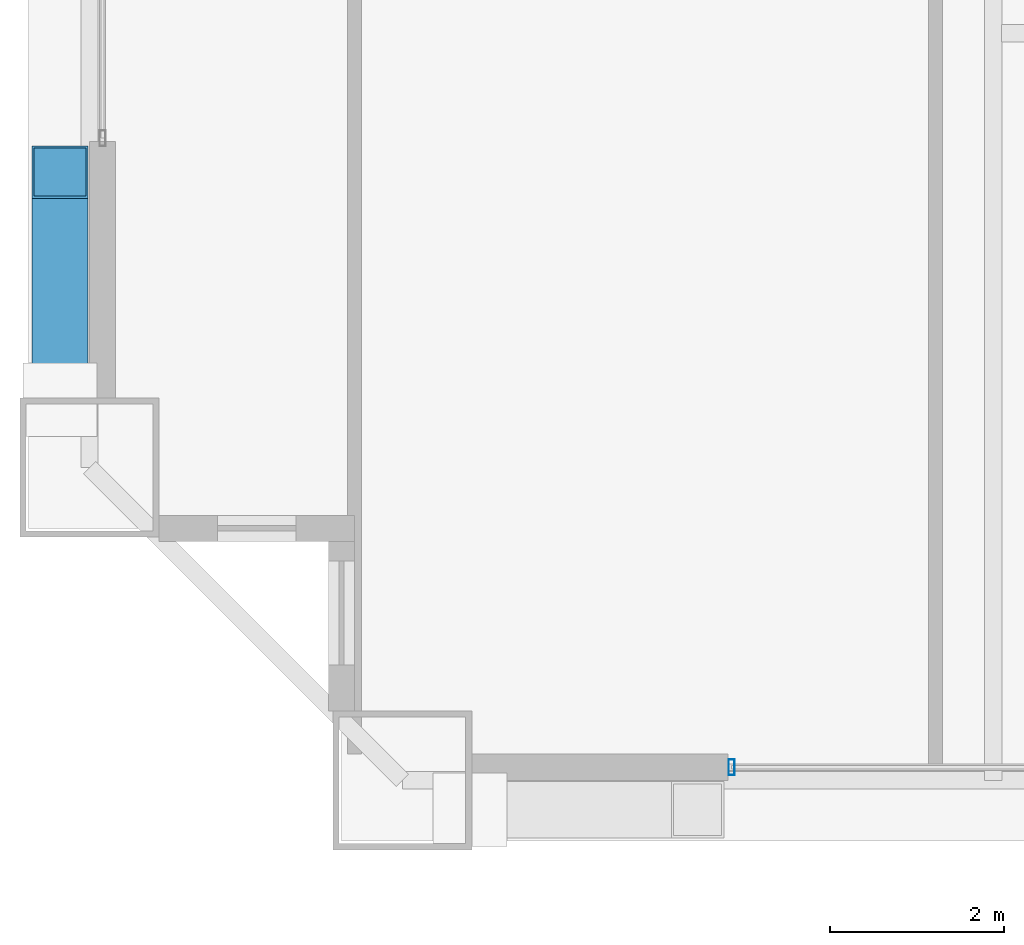
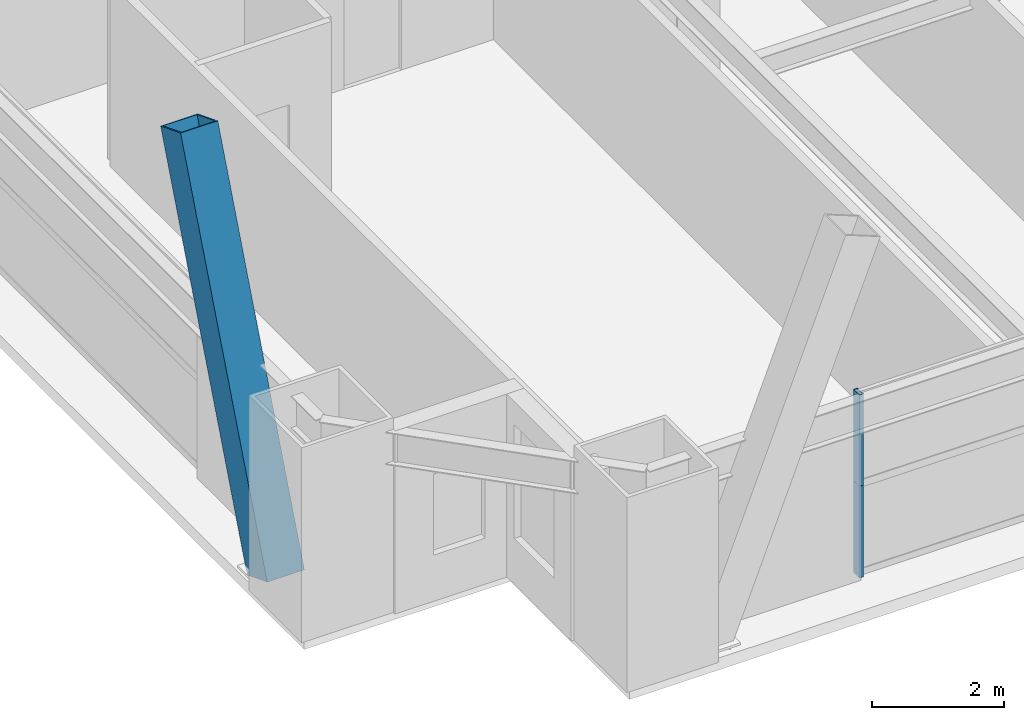
# One storey, part 3 of 43: 3 members, 1 element without a shape of its own.
"""IFC4 building model written with IfcOpenShell, lengths in metres."""

import ifcopenshell
import ifcopenshell.guid

model = None  # the IFC model being written
_history = None  # IfcOwnerHistory: only IFC2X3 demands one
_inside = {}  # id of a spatial element -> (the spatial element, [elements in it])
_under = {}  # id of a project, library or spatial element -> (it, [spatial elements below it])
_declared = {}  # id of a project -> (the project, [libraries it declares])
_typed = {}  # id of a type object -> (the type object, [elements of that type])
_made_of = {}  # id of a material, layer set ... -> (it, [elements and type objects made of it])


def new_model(schema):
    """Start an empty IFC model of exactly this schema.

    Asked for "IFC4X3", IfcOpenShell would pick the latest addendum, in which some entities
    have other attributes; the version numbers below select the first issue.
    IFC2X3 requires an IfcOwnerHistory on every rooted entity: one is made here for all.
    """
    global model, _history
    if schema == "IFC4X3":
        model = ifcopenshell.file(schema_version=(4, 3, 0, 0))
    else:
        model = ifcopenshell.file(schema=schema)
    _inside.clear()
    _under.clear()
    _declared.clear()
    _typed.clear()
    _made_of.clear()
    _history = None
    if model.schema == "IFC2X3":
        org = make("IfcOrganization", Name="unknown")
        user = make(
            "IfcPersonAndOrganization",
            ThePerson=make("IfcPerson", FamilyName="unknown"),
            TheOrganization=org,
        )
        app = make(
            "IfcApplication",
            ApplicationDeveloper=org,
            Version="unknown",
            ApplicationFullName="unknown",
            ApplicationIdentifier="unknown",
        )
        _history = make(
            "IfcOwnerHistory",
            OwningUser=user,
            OwningApplication=app,
            ChangeAction="ADDED",
            CreationDate=0,
        )
    return model


def make(cls, **values):
    """One entity of the class cls with the attributes given. An attribute that is None is left unset."""
    return model.create_entity(
        cls, **{name: value for name, value in values.items() if value is not None}
    )


def rooted(cls, **values):
    """An entity with a GlobalId (a new one), such as an element, a storey or a relation."""
    return make(cls, GlobalId=ifcopenshell.guid.new(), OwnerHistory=_history, **values)


def si_unit(unit_type, name, prefix=None):
    """IfcSIUnit, for example si_unit("LENGTHUNIT", "METRE", prefix="MILLI")."""
    return make("IfcSIUnit", UnitType=unit_type, Prefix=prefix, Name=name)


def assignment(units):
    """IfcUnitAssignment: the units of a project."""
    return None if units is None else make("IfcUnitAssignment", Units=units)


def point(xyz):
    """IfcCartesianPoint."""
    return None if xyz is None else make("IfcCartesianPoint", Coordinates=xyz)


def direction(xyz):
    """IfcDirection."""
    return None if xyz is None else make("IfcDirection", DirectionRatios=xyz)


def frame(location, z_axis=None, x_axis=None):
    """IfcAxis2Placement3D, a coordinate frame: its origin and axes. An axis left out is left unset."""
    return make(
        "IfcAxis2Placement3D",
        Location=point(location),
        Axis=direction(z_axis),
        RefDirection=direction(x_axis),
    )


def frame_2d(location, x_axis=None):
    """IfcAxis2Placement2D, a coordinate frame in the plane: its origin and x axis."""
    return make(
        "IfcAxis2Placement2D", Location=point(location), RefDirection=direction(x_axis)
    )


def origin():
    """The frame at (0, 0, 0) with its axes left unset."""
    return frame((0.0, 0.0, 0.0))


def origin_2d():
    """The frame at (0, 0) in the plane with its x axis left unset."""
    return frame_2d((0.0, 0.0))


def place(relative_to, where):
    """IfcLocalPlacement: puts the frame where relative to a parent placement (None: the world)."""
    return make(
        "IfcLocalPlacement", PlacementRelTo=relative_to, RelativePlacement=where
    )


def context(
    kind, dimensions, precision=None, world=None, true_north=None, identifier=None
):
    """IfcGeometricRepresentationContext, for example the 3D "Model" context."""
    return make(
        "IfcGeometricRepresentationContext",
        ContextIdentifier=identifier,
        ContextType=kind,
        CoordinateSpaceDimension=dimensions,
        Precision=precision,
        WorldCoordinateSystem=world,
        TrueNorth=true_north,
    )


def subcontext(parent, identifier, kind, view, scale=None):
    """IfcGeometricRepresentationSubContext, for example "Body" below "Model"."""
    return make(
        "IfcGeometricRepresentationSubContext",
        ContextIdentifier=identifier,
        ContextType=kind,
        ParentContext=parent,
        TargetScale=scale,
        TargetView=view,
    )


def project(units=None, contexts=None):
    """IfcProject with its units and contexts."""
    return rooted(
        "IfcProject",
        Name="project",
        RepresentationContexts=contexts,
        UnitsInContext=assignment(units),
    )


def spatial(cls, under=None, at=None, **own):
    """A site, building, storey or space (cls), placed at a placement, below another one or the project."""
    s = rooted(cls, ObjectPlacement=at, **own)
    if under is not None:
        _under.setdefault(under.id(), (under, []))[1].append(s)
    return s


def profile(cls, at=None, kind="AREA", **sizes):
    """A parametric profile (cls). Its sizes go by their IFC names, for example OverallWidth=200.0."""
    return make(cls, ProfileType=kind, Position=at, **sizes)


def hollow_rectangle(**sizes):
    """IfcRectangleHollowProfileDef."""
    return profile("IfcRectangleHollowProfileDef", **sizes)


def extrude(swept, where, along, depth):
    """IfcExtrudedAreaSolid: the profile swept, set in the frame where, extruded along a direction by depth."""
    return make(
        "IfcExtrudedAreaSolid",
        SweptArea=swept,
        Position=where,
        ExtrudedDirection=direction(along),
        Depth=depth,
    )


def shape(context_of_items, identifier, shape_type, items):
    """IfcShapeRepresentation: the items that make up one representation, for example the "Body"."""
    return make(
        "IfcShapeRepresentation",
        ContextOfItems=context_of_items,
        RepresentationIdentifier=identifier,
        RepresentationType=shape_type,
        Items=items,
    )


def source(mapping_origin, context_of_items, identifier, shape_type, items):
    """IfcRepresentationMap: a shape defined once, which mapped items show again and again."""
    return make(
        "IfcRepresentationMap",
        MappingOrigin=mapping_origin,
        MappedRepresentation=shape(context_of_items, identifier, shape_type, items),
    )


def transform(
    local_origin,
    x_axis=None,
    y_axis=None,
    z_axis=None,
    scale=None,
    scale2=None,
    scale3=None,
    uniform=True,
):
    """IfcCartesianTransformationOperator3D, or its non-uniform kind. x_axis, y_axis, z_axis: its Axis1, 2, 3."""
    if uniform:
        return make(
            "IfcCartesianTransformationOperator3D",
            Axis1=direction(x_axis),
            Axis2=direction(y_axis),
            LocalOrigin=point(local_origin),
            Scale=scale,
            Axis3=direction(z_axis),
        )
    return make(
        "IfcCartesianTransformationOperator3DnonUniform",
        Axis1=direction(x_axis),
        Axis2=direction(y_axis),
        LocalOrigin=point(local_origin),
        Scale=scale,
        Axis3=direction(z_axis),
        Scale2=scale2,
        Scale3=scale3,
    )


def mapped(mapping_source, mapping_target):
    """IfcMappedItem: shows the shape of a source again, moved by a transform."""
    return make(
        "IfcMappedItem", MappingSource=mapping_source, MappingTarget=mapping_target
    )


def material(Name=None, Category=None):
    """IfcMaterial."""
    return make("IfcMaterial", Name=Name, Category=Category)


def layer(
    of_material, thickness, ventilated=None, Name=None, Category=None, Priority=None
):
    """IfcMaterialLayer: one layer of a wall or slab, of a material (None: an air gap)."""
    return make(
        "IfcMaterialLayer",
        Material=of_material,
        LayerThickness=thickness,
        IsVentilated=ventilated,
        Name=Name,
        Category=Category,
        Priority=Priority,
    )


def layer_set(layers, Name=None):
    """IfcMaterialLayerSet."""
    return make("IfcMaterialLayerSet", MaterialLayers=layers, LayerSetName=Name)


def material_profile(
    of_material, cross_section, Name=None, Category=None, Priority=None
):
    """IfcMaterialProfile: a cross section and its material."""
    return make(
        "IfcMaterialProfile",
        Name=Name,
        Material=of_material,
        Profile=cross_section,
        Priority=Priority,
        Category=Category,
    )


def profile_set(profiles, Name=None, composite=None):
    """IfcMaterialProfileSet."""
    return make(
        "IfcMaterialProfileSet",
        Name=Name,
        MaterialProfiles=profiles,
        CompositeProfile=composite,
    )


def made_of(thing, what):
    """Note that an element or type object is made of a material, layer set ...; save() writes the relation."""
    if what is not None:
        _made_of.setdefault(what.id(), (what, []))[1].append(thing)
    return thing


def type_object(cls, material=None, **own):
    """A type object (cls), such as IfcWallType, which elements share."""
    return made_of(rooted(cls, **own), material)


def element(
    cls,
    number,
    at=None,
    inside=None,
    cuts=None,
    type_object=None,
    material=None,
    context=None,
    identifier="Body",
    shape_type=None,
    held_by="IfcProductDefinitionShape",
    body=None,
    shapes=None,
    **own,
):
    """One element of the class cls, such as IfcWall. Its Tag is "e" and its number.

    at: its placement. inside: the storey or other place that contains it. cuts: it is an
    opening in that element (IfcRelVoidsElement). A single representation is given by context,
    identifier, shape_type and body (its items); several are given by shapes. held_by: the class
    of the entity that holds the representations. save() writes the other relations.
    """
    e = rooted(cls, Tag="e%d" % number, ObjectPlacement=at, **own)
    if body is not None:
        shapes = [shape(context, identifier, shape_type, body)]
    if shapes is not None:
        e.Representation = make(held_by, Representations=shapes)
    if inside is not None:
        _inside.setdefault(inside.id(), (inside, []))[1].append(e)
    if cuts is not None:
        rooted(
            "IfcRelVoidsElement", RelatingBuildingElement=cuts, RelatedOpeningElement=e
        )
    if type_object is not None:
        _typed.setdefault(type_object.id(), (type_object, []))[1].append(e)
    return made_of(e, material)


def aggregate(whole, parts):
    """IfcRelAggregates: a whole, such as a stair, and the parts it consists of."""
    return rooted("IfcRelAggregates", RelatingObject=whole, RelatedObjects=parts)


def save(model, path):
    """Write the relations noted so far, then the file.

    IfcRelAggregates (storeys below a building ...), IfcRelContainedInSpatialStructure (elements
    in a storey), IfcRelDefinesByType, IfcRelAssociatesMaterial and IfcRelDeclares: one each for
    every whole, place, type object, material and project.
    """
    for whole, parts in _under.values():
        aggregate(whole, parts)
    for where, things in _inside.values():
        rooted(
            "IfcRelContainedInSpatialStructure",
            RelatedElements=things,
            RelatingStructure=where,
        )
    for kind, things in _typed.values():
        rooted("IfcRelDefinesByType", RelatedObjects=things, RelatingType=kind)
    for what, things in _made_of.values():
        rooted("IfcRelAssociatesMaterial", RelatedObjects=things, RelatingMaterial=what)
    for by, libraries in _declared.values():
        rooted("IfcRelDeclares", RelatingContext=by, RelatedDefinitions=libraries)
    model.write(path)


model = new_model("IFC4")

# Units and contexts
model_context = context("Model", 3, precision=1e-05, world=origin(), true_north=direction((0.0, 1.0)))
body_context = subcontext(model_context, "Body", "Model", "MODEL_VIEW")
ifc_project = project(units=[si_unit("LENGTHUNIT", "METRE"), si_unit("AREAUNIT", "SQUARE_METRE"), si_unit("VOLUMEUNIT", "CUBIC_METRE"), si_unit("PLANEANGLEUNIT", "RADIAN"), si_unit("MASSUNIT", "GRAM", prefix="KILO"), si_unit("THERMODYNAMICTEMPERATUREUNIT", "KELVIN"), si_unit("POWERUNIT", "WATT")], contexts=[model_context])

# Site, building, storey
site_placement = place(None, origin())
site = spatial("IfcSite", under=ifc_project, at=site_placement, CompositionType="ELEMENT")
building_placement = place(site_placement, origin())
building = spatial("IfcBuilding", under=site, at=building_placement, Name="Yuzanri Waterfront Tower", CompositionType="ELEMENT")
storey_placement = place(building_placement, frame((0.0, 0.0, 93.800048828125)))
storey = spatial("IfcBuildingStorey", under=building, at=storey_placement, Name="L24", CompositionType="ELEMENT", Elevation=93.800048828125)

# Member
ifc_material_1 = material(Name="Steel Q420GJC", Category="steel")
ifc_material_profile_1 = material_profile(ifc_material_1, hollow_rectangle(XDim=0.64990234375, YDim=0.64990234375, WallThickness=0.028076171875, at=origin_2d()), Name="RHS 650x650x28")
ifc_profile_set_1 = profile_set([ifc_material_profile_1], Name="Steel Q420GJC")
member_type_1 = type_object("IfcMemberType", Name="Mega Brace Lower Q420GJC RHS 650x650x28", PredefinedType="BRACE", material=ifc_profile_set_1)
shared_shape_1 = source(origin(), body_context, "Body", "SweptSolid", [
    extrude(hollow_rectangle(XDim=0.64990234375, YDim=0.64990234375, WallThickness=0.028076171875, at=origin_2d()), origin(), (0.0, 0.0, 1.0), 7.19384765625),
])
member_1_placement = place(storey_placement, frame((13.06005859375, 6.580078125, 0.179931640625), z_axis=(0.0, 0.36417668996, 0.9313298763), x_axis=(-1.0, 0.0, 0.0)))
element("IfcMember", 1, at=member_1_placement, inside=storey, type_object=member_type_1, Name="L24-L25 Perimeter Mega-Brace W-L", PredefinedType="BRACE", context=body_context, shape_type="MappedRepresentation", body=[
    mapped(shared_shape_1, transform((0.0, 0.0, 0.0), scale=1.0)),
])

# Curtain wall, members
ifc_material_2 = material(Name="Anodized Architectural Bronze", Category="metal")
ifc_layer = layer(ifc_material_2, 0.159912109375)
ifc_layer_set = layer_set([ifc_layer], Name="Anodized Architectural Bronze")
curtain_wall_type = type_object("IfcCurtainWallType", Name="Anodized Bronze Hotel Upper-Tier Solar-Control Unitized Curtain Wall 7800", PredefinedType="NOTDEFINED", material=ifc_layer_set)
curtain_wall_placement = place(storey_placement, origin())
curtain_wall = element("IfcCurtainWall", 2, at=curtain_wall_placement, inside=storey, type_object=curtain_wall_type, Name="L24 Curtain Wall CW-L24-SL1", PredefinedType="NOTDEFINED")
ifc_material_3 = material(Name="Anodized Architectural Bronze", Category="metal")
ifc_material_profile_2 = material_profile(ifc_material_3, hollow_rectangle(XDim=0.070068359375, YDim=0.179931640625, WallThickness=0.00390625, at=origin_2d()), Name="CWM 70x180")
ifc_profile_set_2 = profile_set([ifc_material_profile_2], Name="Anodized Architectural Bronze")
member_type_2 = type_object("IfcMemberType", Name="Anodized Bronze Standard Curtain-Wall Mullion 70x180", PredefinedType="MULLION", material=ifc_profile_set_2)
shared_shape_2 = source(origin(), body_context, "Body", "SweptSolid", [
    extrude(hollow_rectangle(XDim=0.070068359375, YDim=0.179931640625, WallThickness=0.00390625, at=origin_2d()), origin(), (0.0, 0.0, 1.0), 1.68798828125),
])
member_2_placement = place(storey_placement, frame((20.7900390625, 2.35009765625, 0.0), z_axis=(0.0, 0.0, 1.0), x_axis=(1.0, 0.0, 0.0)))
member_2 = element("IfcMember", 3, at=member_2_placement, type_object=member_type_2, Name="CW-L24-SL1 Lower Mullion 00", PredefinedType="MULLION", context=body_context, shape_type="MappedRepresentation", body=[
    mapped(shared_shape_2, transform((0.0, 0.0, 0.0), scale=1.0)),
])
member_3_placement = place(storey_placement, frame((20.7900390625, 2.35009765625, 1.69189453125), z_axis=(0.0, 0.0, 1.0), x_axis=(1.0, 0.0, 0.0)))
member_3 = element("IfcMember", 4, at=member_3_placement, type_object=member_type_2, Name="CW-L24-SL1 Upper Mullion 00", PredefinedType="MULLION", context=body_context, shape_type="MappedRepresentation", body=[
    mapped(shared_shape_2, transform((0.0, 0.0, 0.0), scale=1.0)),
])
aggregate(curtain_wall, [member_2, member_3])

save(model, "model.ifc")
